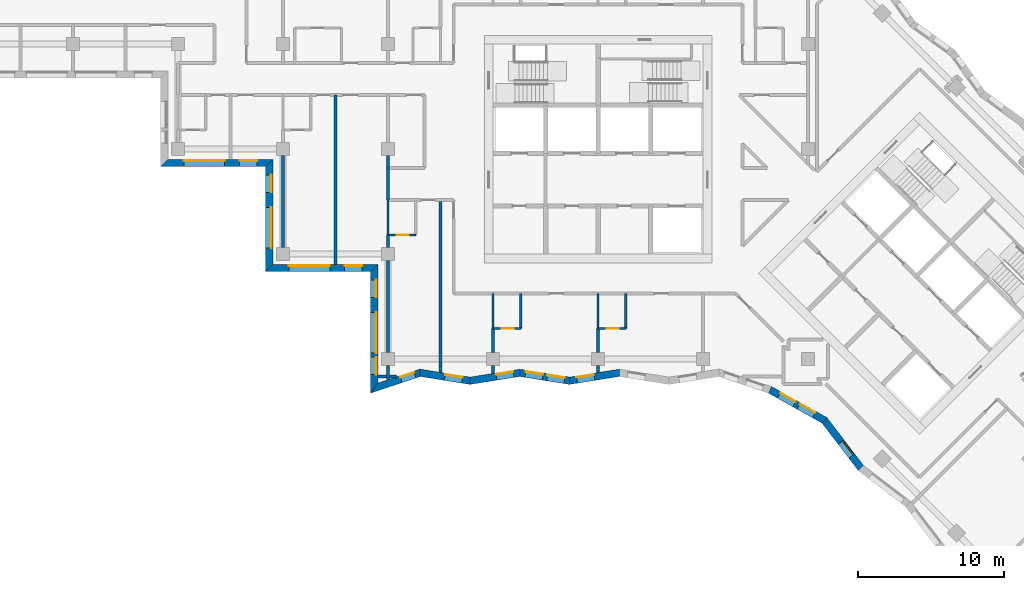
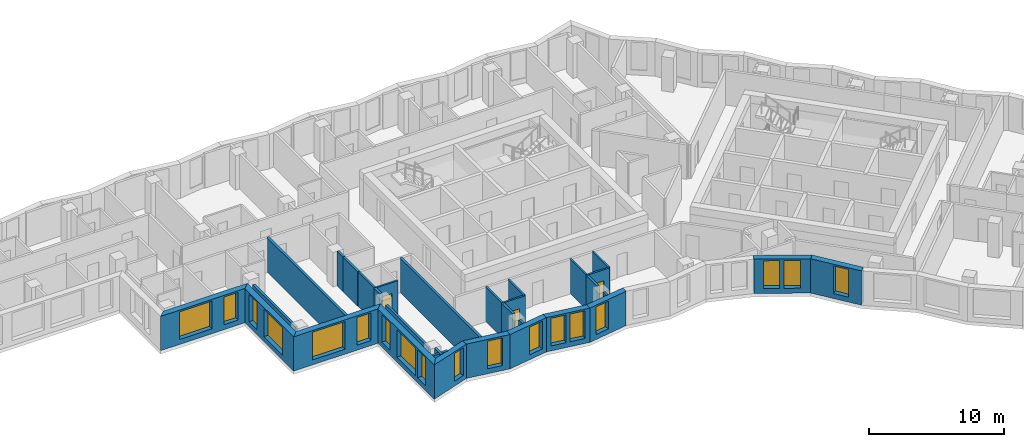
# One storey, part 2 of 12: 32 walls, 18 windows, 3 doors, 21 openings.
"""IFC4 building model written with IfcOpenShell, lengths in metres."""

from ifc_helpers import new_model, si_unit, direction, frame, frame_2d, origin, place, context, subcontext, project, spatial, polyline, rectangle, outline, extrude, material, layer, layer_set, type_object, element, fill, save


model = new_model("IFC4")

# Units and contexts
model_context = context("Model", 3, precision=1e-05, world=origin(), true_north=direction((0.0, 1.0)))
body_context = subcontext(model_context, "Body", "Model", "MODEL_VIEW")
ifc_project = project(units=[si_unit("LENGTHUNIT", "METRE"), si_unit("AREAUNIT", "SQUARE_METRE"), si_unit("VOLUMEUNIT", "CUBIC_METRE"), si_unit("PLANEANGLEUNIT", "RADIAN"), si_unit("MASSUNIT", "GRAM", prefix="KILO")], contexts=[model_context])

# Site, building, storey
site_placement = place(None, origin())
site = spatial("IfcSite", under=ifc_project, at=site_placement, CompositionType="ELEMENT")
building_placement = place(site_placement, origin())
building = spatial("IfcBuilding", under=site, at=building_placement, Name="Windrow Commons", CompositionType="ELEMENT")
storey_placement = place(building_placement, frame((0.0, 0.0, 162.6)))
storey = spatial("IfcBuildingStorey", under=building, at=storey_placement, Name="L44", CompositionType="ELEMENT", Elevation=162.6)

# Wall, openings, windows
ifc_material_1 = material(Name="Brick masonry, red clay brick", Category="masonry")
ifc_layer_1 = layer(ifc_material_1, 0.5)
ifc_layer_set_1 = layer_set([ifc_layer_1], Name="Brick facade wall 500")
wall_type_1 = type_object("IfcWallType", Name="Brick facade wall 500", PredefinedType="SOLIDWALL", material=ifc_layer_set_1)
wall_1_placement = place(storey_placement, frame((35.05, 56.65, 0.0), z_axis=(0.0, 0.0, 1.0), x_axis=(1.0, 0.0, 0.0)))
wall_1 = element("IfcWall", 1, at=wall_1_placement, inside=storey, type_object=wall_type_1, Name="Brick facade wall L44 38", PredefinedType="SOLIDWALL", context=body_context, shape_type="SweptSolid", body=[
    extrude(outline(polyline([(-0.25, -0.25), (6.95, -0.25), (7.45, 0.25), (0.25, 0.25), (-0.25, -0.25)])), origin(), (0.0, 0.0, 1.0), 3.1),
])
opening_1_placement = place(wall_1_placement, frame((1.35, 0.0, 0.45)))
opening_1 = element("IfcOpeningElement", 2, at=opening_1_placement, cuts=wall_1, Name="Opening W1U", PredefinedType="OPENING", context=body_context, shape_type="SweptSolid", body=[
    extrude(rectangle(XDim=2.8, YDim=2.5, at=frame_2d((1.4, 1.25))), frame((0.0, 0.26, 0.0), z_axis=(0.0, -1.0, 0.0), x_axis=(1.0, 0.0, 0.0)), (0.0, 0.0, 1.0), 0.52),
])
opening_2_placement = place(wall_1_placement, frame((5.175, 0.0, 0.45)))
opening_2 = element("IfcOpeningElement", 3, at=opening_2_placement, cuts=wall_1, Name="Opening W7E", PredefinedType="OPENING", context=body_context, shape_type="SweptSolid", body=[
    extrude(rectangle(XDim=1.2, YDim=2.5, at=frame_2d((0.6, 1.25))), frame((0.0, 0.26, 0.0), z_axis=(0.0, -1.0, 0.0), x_axis=(1.0, 0.0, 0.0)), (0.0, 0.0, 1.0), 0.52),
])
ifc_material_2 = material(Name="Clear float glass in anodised aluminium frame", Category="aluminium")
window_type_1 = type_object("IfcWindowType", Name="Window W1U bedroom 2800x2500", PartitioningType="SINGLE_PANEL", PredefinedType="WINDOW", material=ifc_material_2)
window_1_placement = place(opening_1_placement, origin())
window_1 = element("IfcWindow", 4, at=window_1_placement, inside=storey, type_object=window_type_1, Name="Window L44 38.1", OverallHeight=2.5, OverallWidth=2.8, PartitioningType="SINGLE_PANEL", PredefinedType="WINDOW", context=body_context, shape_type="SweptSolid", body=[
    extrude(rectangle(XDim=2.8, YDim=2.5, at=frame_2d((1.4, 1.25))), frame((0.0, 0.18, 0.0), z_axis=(0.0, -1.0, 0.0), x_axis=(1.0, 0.0, 0.0)), (0.0, 0.0, 1.0), 0.06),
])
fill(opening_1, window_1)
ifc_material_3 = material(Name="Clear float glass in anodised aluminium frame", Category="aluminium")
window_type_2 = type_object("IfcWindowType", Name="Window W7 notch 1200x2500", PartitioningType="SINGLE_PANEL", PredefinedType="WINDOW", material=ifc_material_3)
window_2_placement = place(opening_2_placement, origin())
window_2 = element("IfcWindow", 5, at=window_2_placement, inside=storey, type_object=window_type_2, Name="Window L44 38.2", OverallHeight=2.5, OverallWidth=1.2, PartitioningType="SINGLE_PANEL", PredefinedType="WINDOW", context=body_context, shape_type="SweptSolid", body=[
    extrude(rectangle(XDim=1.2, YDim=2.5, at=frame_2d((0.6, 1.25))), frame((0.0, 0.18, 0.0), z_axis=(0.0, -1.0, 0.0), x_axis=(1.0, 0.0, 0.0)), (0.0, 0.0, 1.0), 0.06),
])
fill(opening_2, window_2)

wall_2_placement = place(storey_placement, frame((42.25, 56.65, 0.0), z_axis=(0.0, 0.0, 1.0), x_axis=(0.0, -1.0, 0.0)))
wall_2 = element("IfcWall", 6, at=wall_2_placement, inside=storey, type_object=wall_type_1, Name="Brick facade wall L44 39", PredefinedType="SOLIDWALL", context=body_context, shape_type="SweptSolid", body=[
    extrude(outline(polyline([(0.25, -0.25), (7.45, -0.25), (6.95, 0.25), (-0.25, 0.25), (0.25, -0.25)])), origin(), (0.0, 0.0, 1.0), 3.1),
])
opening_3_placement = place(wall_2_placement, frame((3.05, 0.0, 0.45)))
opening_3 = element("IfcOpeningElement", 7, at=opening_3_placement, cuts=wall_2, Name="Opening W1U", PredefinedType="OPENING", context=body_context, shape_type="SweptSolid", body=[
    extrude(rectangle(XDim=2.8, YDim=2.5, at=frame_2d((1.4, 1.25))), frame((0.0, 0.26, 0.0), z_axis=(0.0, -1.0, 0.0), x_axis=(1.0, 0.0, 0.0)), (0.0, 0.0, 1.0), 0.52),
])
opening_4_placement = place(wall_2_placement, frame((0.825, 0.0, 0.45)))
opening_4 = element("IfcOpeningElement", 8, at=opening_4_placement, cuts=wall_2, Name="Opening W7E", PredefinedType="OPENING", context=body_context, shape_type="SweptSolid", body=[
    extrude(rectangle(XDim=1.2, YDim=2.5, at=frame_2d((0.6, 1.25))), frame((0.0, 0.26, 0.0), z_axis=(0.0, -1.0, 0.0), x_axis=(1.0, 0.0, 0.0)), (0.0, 0.0, 1.0), 0.52),
])
window_3_placement = place(opening_3_placement, origin())
window_3 = element("IfcWindow", 9, at=window_3_placement, inside=storey, type_object=window_type_1, Name="Window L44 39.1", OverallHeight=2.5, OverallWidth=2.8, PartitioningType="SINGLE_PANEL", PredefinedType="WINDOW", context=body_context, shape_type="SweptSolid", body=[
    extrude(rectangle(XDim=2.8, YDim=2.5, at=frame_2d((1.4, 1.25))), frame((0.0, 0.18, 0.0), z_axis=(0.0, -1.0, 0.0), x_axis=(1.0, 0.0, 0.0)), (0.0, 0.0, 1.0), 0.06),
])
fill(opening_3, window_3)
window_4_placement = place(opening_4_placement, origin())
window_4 = element("IfcWindow", 10, at=window_4_placement, inside=storey, type_object=window_type_2, Name="Window L44 39.2", OverallHeight=2.5, OverallWidth=1.2, PartitioningType="SINGLE_PANEL", PredefinedType="WINDOW", context=body_context, shape_type="SweptSolid", body=[
    extrude(rectangle(XDim=1.2, YDim=2.5, at=frame_2d((0.6, 1.25))), frame((0.0, 0.18, 0.0), z_axis=(0.0, -1.0, 0.0), x_axis=(1.0, 0.0, 0.0)), (0.0, 0.0, 1.0), 0.06),
])
fill(opening_4, window_4)

wall_3_placement = place(storey_placement, frame((42.25, 49.45, 0.0), z_axis=(0.0, 0.0, 1.0), x_axis=(1.0, 0.0, 0.0)))
wall_3 = element("IfcWall", 11, at=wall_3_placement, inside=storey, type_object=wall_type_1, Name="Brick facade wall L44 40", PredefinedType="SOLIDWALL", context=body_context, shape_type="SweptSolid", body=[
    extrude(outline(polyline([(-0.25, -0.25), (6.95, -0.25), (7.45, 0.25), (0.25, 0.25), (-0.25, -0.25)])), origin(), (0.0, 0.0, 1.0), 3.1),
])
opening_5_placement = place(wall_3_placement, frame((1.35, 0.0, 0.45)))
opening_5 = element("IfcOpeningElement", 12, at=opening_5_placement, cuts=wall_3, Name="Opening W1U", PredefinedType="OPENING", context=body_context, shape_type="SweptSolid", body=[
    extrude(rectangle(XDim=2.8, YDim=2.5, at=frame_2d((1.4, 1.25))), frame((0.0, 0.26, 0.0), z_axis=(0.0, -1.0, 0.0), x_axis=(1.0, 0.0, 0.0)), (0.0, 0.0, 1.0), 0.52),
])
opening_6_placement = place(wall_3_placement, frame((5.175, 0.0, 0.45)))
opening_6 = element("IfcOpeningElement", 13, at=opening_6_placement, cuts=wall_3, Name="Opening W7E", PredefinedType="OPENING", context=body_context, shape_type="SweptSolid", body=[
    extrude(rectangle(XDim=1.2, YDim=2.5, at=frame_2d((0.6, 1.25))), frame((0.0, 0.26, 0.0), z_axis=(0.0, -1.0, 0.0), x_axis=(1.0, 0.0, 0.0)), (0.0, 0.0, 1.0), 0.52),
])
window_5_placement = place(opening_5_placement, origin())
window_5 = element("IfcWindow", 14, at=window_5_placement, inside=storey, type_object=window_type_1, Name="Window L44 40.1", OverallHeight=2.5, OverallWidth=2.8, PartitioningType="SINGLE_PANEL", PredefinedType="WINDOW", context=body_context, shape_type="SweptSolid", body=[
    extrude(rectangle(XDim=2.8, YDim=2.5, at=frame_2d((1.4, 1.25))), frame((0.0, 0.18, 0.0), z_axis=(0.0, -1.0, 0.0), x_axis=(1.0, 0.0, 0.0)), (0.0, 0.0, 1.0), 0.06),
])
fill(opening_5, window_5)
window_6_placement = place(opening_6_placement, origin())
window_6 = element("IfcWindow", 15, at=window_6_placement, inside=storey, type_object=window_type_2, Name="Window L44 40.2", OverallHeight=2.5, OverallWidth=1.2, PartitioningType="SINGLE_PANEL", PredefinedType="WINDOW", context=body_context, shape_type="SweptSolid", body=[
    extrude(rectangle(XDim=1.2, YDim=2.5, at=frame_2d((0.6, 1.25))), frame((0.0, 0.18, 0.0), z_axis=(0.0, -1.0, 0.0), x_axis=(1.0, 0.0, 0.0)), (0.0, 0.0, 1.0), 0.06),
])
fill(opening_6, window_6)

wall_4_placement = place(storey_placement, frame((49.45, 49.45, 0.0), z_axis=(0.0, 0.0, 1.0), x_axis=(0.0, -1.0, 0.0)))
wall_4 = element("IfcWall", 16, at=wall_4_placement, inside=storey, type_object=wall_type_1, Name="Brick facade wall L44 41", PredefinedType="SOLIDWALL", context=body_context, shape_type="SweptSolid", body=[
    extrude(outline(polyline([(0.25, -0.25), (8.592, -0.25), (7.8973, 0.25), (-0.25, 0.25), (0.25, -0.25)])), origin(), (0.0, 0.0, 1.0), 3.1),
])
opening_7_placement = place(wall_4_placement, frame((3.05, 0.0, 0.45)))
opening_7 = element("IfcOpeningElement", 17, at=opening_7_placement, cuts=wall_4, Name="Opening W1U", PredefinedType="OPENING", context=body_context, shape_type="SweptSolid", body=[
    extrude(rectangle(XDim=2.8, YDim=2.5, at=frame_2d((1.4, 1.25))), frame((0.0, 0.26, 0.0), z_axis=(0.0, -1.0, 0.0), x_axis=(1.0, 0.0, 0.0)), (0.0, 0.0, 1.0), 0.52),
])
opening_8_placement = place(wall_4_placement, frame((0.825, 0.0, 0.45)))
opening_8 = element("IfcOpeningElement", 18, at=opening_8_placement, cuts=wall_4, Name="Opening W7E", PredefinedType="OPENING", context=body_context, shape_type="SweptSolid", body=[
    extrude(rectangle(XDim=1.2, YDim=2.5, at=frame_2d((0.6, 1.25))), frame((0.0, 0.26, 0.0), z_axis=(0.0, -1.0, 0.0), x_axis=(1.0, 0.0, 0.0)), (0.0, 0.0, 1.0), 0.52),
])
opening_9_placement = place(wall_4_placement, frame((6.1236, 0.0, 0.45)))
opening_9 = element("IfcOpeningElement", 19, at=opening_9_placement, cuts=wall_4, Name="Opening W7E", PredefinedType="OPENING", context=body_context, shape_type="SweptSolid", body=[
    extrude(rectangle(XDim=1.2, YDim=2.5, at=frame_2d((0.6, 1.25))), frame((0.0, 0.26, 0.0), z_axis=(0.0, -1.0, 0.0), x_axis=(1.0, 0.0, 0.0)), (0.0, 0.0, 1.0), 0.52),
])
window_7_placement = place(opening_7_placement, origin())
window_7 = element("IfcWindow", 20, at=window_7_placement, inside=storey, type_object=window_type_1, Name="Window L44 41.1", OverallHeight=2.5, OverallWidth=2.8, PartitioningType="SINGLE_PANEL", PredefinedType="WINDOW", context=body_context, shape_type="SweptSolid", body=[
    extrude(rectangle(XDim=2.8, YDim=2.5, at=frame_2d((1.4, 1.25))), frame((0.0, 0.18, 0.0), z_axis=(0.0, -1.0, 0.0), x_axis=(1.0, 0.0, 0.0)), (0.0, 0.0, 1.0), 0.06),
])
fill(opening_7, window_7)
window_8_placement = place(opening_8_placement, origin())
window_8 = element("IfcWindow", 21, at=window_8_placement, inside=storey, type_object=window_type_2, Name="Window L44 41.2", OverallHeight=2.5, OverallWidth=1.2, PartitioningType="SINGLE_PANEL", PredefinedType="WINDOW", context=body_context, shape_type="SweptSolid", body=[
    extrude(rectangle(XDim=1.2, YDim=2.5, at=frame_2d((0.6, 1.25))), frame((0.0, 0.18, 0.0), z_axis=(0.0, -1.0, 0.0), x_axis=(1.0, 0.0, 0.0)), (0.0, 0.0, 1.0), 0.06),
])
fill(opening_8, window_8)
window_9_placement = place(opening_9_placement, origin())
window_9 = element("IfcWindow", 22, at=window_9_placement, inside=storey, type_object=window_type_2, Name="Window L44 41.3", OverallHeight=2.5, OverallWidth=1.2, PartitioningType="SINGLE_PANEL", PredefinedType="WINDOW", context=body_context, shape_type="SweptSolid", body=[
    extrude(rectangle(XDim=1.2, YDim=2.5, at=frame_2d((0.6, 1.25))), frame((0.0, 0.18, 0.0), z_axis=(0.0, -1.0, 0.0), x_axis=(1.0, 0.0, 0.0)), (0.0, 0.0, 1.0), 0.06),
])
fill(opening_9, window_9)

# Wall, opening, window
wall_5_placement = place(storey_placement, frame((49.45, 41.2054, 0.0), z_axis=(0.0, 0.0, 1.0), x_axis=(0.9482534743, 0.3175143279, 0.0)))
wall_5 = element("IfcWall", 23, at=wall_5_placement, inside=storey, type_object=wall_type_1, Name="Brick facade wall L44 42", PredefinedType="SOLIDWALL", context=body_context, shape_type="SweptSolid", body=[
    extrude(outline(polyline([(-0.3474, -0.25), (3.2491, -0.25), (3.3717, 0.25), (0.3474, 0.25), (-0.3474, -0.25)])), origin(), (0.0, 0.0, 1.0), 3.1),
])
opening_10_placement = place(wall_5_placement, frame((1.9347, 0.0, 0.45)))
opening_10 = element("IfcOpeningElement", 24, at=opening_10_placement, cuts=wall_5, Name="Opening W1S", PredefinedType="OPENING", context=body_context, shape_type="SweptSolid", body=[
    extrude(rectangle(XDim=1.0, YDim=2.5, at=frame_2d((0.5, 1.25))), frame((0.0, 0.26, 0.0), z_axis=(0.0, -1.0, 0.0), x_axis=(1.0, 0.0, 0.0)), (0.0, 0.0, 1.0), 0.52),
])
ifc_material_4 = material(Name="Clear float glass in anodised aluminium frame", Category="aluminium")
window_type_3 = type_object("IfcWindowType", Name="Window W1S slit 1000x2500", PartitioningType="SINGLE_PANEL", PredefinedType="WINDOW", material=ifc_material_4)
window_10_placement = place(opening_10_placement, origin())
window_10 = element("IfcWindow", 25, at=window_10_placement, inside=storey, type_object=window_type_3, Name="Window L44 42.1A", OverallHeight=2.5, OverallWidth=1.0, PartitioningType="SINGLE_PANEL", PredefinedType="WINDOW", context=body_context, shape_type="SweptSolid", body=[
    extrude(rectangle(XDim=1.0, YDim=2.5, at=frame_2d((0.5, 1.25))), frame((0.0, 0.18, 0.0), z_axis=(0.0, -1.0, 0.0), x_axis=(1.0, 0.0, 0.0)), (0.0, 0.0, 1.0), 0.06),
])
fill(opening_10, window_10)

wall_6_placement = place(storey_placement, frame((52.5891, 42.2565, 0.0), z_axis=(0.0, 0.0, 1.0), x_axis=(0.9876042465, -0.1569644935, 0.0)))
wall_6 = element("IfcWall", 26, at=wall_6_placement, inside=storey, type_object=wall_type_1, Name="Brick facade wall L44 43", PredefinedType="SOLIDWALL", context=body_context, shape_type="SweptSolid", body=[
    extrude(outline(polyline([(0.0613, -0.25), (3.5144, -0.25), (3.435, 0.25), (-0.0613, 0.25), (0.0613, -0.25)])), origin(), (0.0, 0.0, 1.0), 3.1),
])
opening_11_placement = place(wall_6_placement, frame((1.7318, 0.0, 0.45)))
opening_11 = element("IfcOpeningElement", 27, at=opening_11_placement, cuts=wall_6, Name="Opening W7E", PredefinedType="OPENING", context=body_context, shape_type="SweptSolid", body=[
    extrude(rectangle(XDim=1.2, YDim=2.5, at=frame_2d((0.6, 1.25))), frame((0.0, 0.26, 0.0), z_axis=(0.0, -1.0, 0.0), x_axis=(1.0, 0.0, 0.0)), (0.0, 0.0, 1.0), 0.52),
])
window_11_placement = place(opening_11_placement, origin())
window_11 = element("IfcWindow", 28, at=window_11_placement, inside=storey, type_object=window_type_2, Name="Window L44 43.1", OverallHeight=2.5, OverallWidth=1.2, PartitioningType="SINGLE_PANEL", PredefinedType="WINDOW", context=body_context, shape_type="SweptSolid", body=[
    extrude(rectangle(XDim=1.2, YDim=2.5, at=frame_2d((0.6, 1.25))), frame((0.0, 0.18, 0.0), z_axis=(0.0, -1.0, 0.0), x_axis=(1.0, 0.0, 0.0)), (0.0, 0.0, 1.0), 0.06),
])
fill(opening_11, window_11)

wall_7_placement = place(storey_placement, frame((56.0207, 41.7111, 0.0), z_axis=(0.0, 0.0, 1.0), x_axis=(0.9876056196, 0.1569558544, 0.0)))
wall_7 = element("IfcWall", 29, at=wall_7_placement, inside=storey, type_object=wall_type_1, Name="Brick facade wall L44 44", PredefinedType="SOLIDWALL", context=body_context, shape_type="SweptSolid", body=[
    extrude(outline(polyline([(-0.0397, -0.25), (3.4134, -0.25), (3.4929, 0.25), (0.0397, 0.25), (-0.0397, -0.25)])), origin(), (0.0, 0.0, 1.0), 3.1),
])
opening_12_placement = place(wall_7_placement, frame((1.8261, 0.0, 0.45)))
opening_12 = element("IfcOpeningElement", 30, at=opening_12_placement, cuts=wall_7, Name="Opening W7E", PredefinedType="OPENING", context=body_context, shape_type="SweptSolid", body=[
    extrude(rectangle(XDim=1.2, YDim=2.5, at=frame_2d((0.6, 1.25))), frame((0.0, 0.26, 0.0), z_axis=(0.0, -1.0, 0.0), x_axis=(1.0, 0.0, 0.0)), (0.0, 0.0, 1.0), 0.52),
])
window_12_placement = place(opening_12_placement, origin())
window_12 = element("IfcWindow", 31, at=window_12_placement, inside=storey, type_object=window_type_2, Name="Window L44 44.1", OverallHeight=2.5, OverallWidth=1.2, PartitioningType="SINGLE_PANEL", PredefinedType="WINDOW", context=body_context, shape_type="SweptSolid", body=[
    extrude(rectangle(XDim=1.2, YDim=2.5, at=frame_2d((0.6, 1.25))), frame((0.0, 0.18, 0.0), z_axis=(0.0, -1.0, 0.0), x_axis=(1.0, 0.0, 0.0)), (0.0, 0.0, 1.0), 0.06),
])
fill(opening_12, window_12)

# Wall, openings, windows
wall_8_placement = place(storey_placement, frame((59.4311, 42.2531, 0.0), z_axis=(0.0, 0.0, 1.0), x_axis=(0.9876049061, -0.1569603434, 0.0)))
wall_8 = element("IfcWall", 32, at=wall_8_placement, inside=storey, type_object=wall_type_1, Name="Brick facade wall L44 45", PredefinedType="SOLIDWALL", context=body_context, shape_type="SweptSolid", body=[
    extrude(outline(polyline([(0.0397, -0.25), (3.4929, -0.25), (3.4134, 0.25), (-0.0397, 0.25), (0.0397, -0.25)])), origin(), (0.0, 0.0, 1.0), 3.1),
])
opening_13_placement = place(wall_8_placement, frame((0.3956, 0.0, 0.45)))
opening_13 = element("IfcOpeningElement", 33, at=opening_13_placement, cuts=wall_8, Name="Opening W7E", PredefinedType="OPENING", context=body_context, shape_type="SweptSolid", body=[
    extrude(rectangle(XDim=1.2, YDim=2.5, at=frame_2d((0.6, 1.25))), frame((0.0, 0.26, 0.0), z_axis=(0.0, -1.0, 0.0), x_axis=(1.0, 0.0, 0.0)), (0.0, 0.0, 1.0), 0.52),
])
opening_14_placement = place(wall_8_placement, frame((1.9023, 0.0, 0.45)))
opening_14 = element("IfcOpeningElement", 34, at=opening_14_placement, cuts=wall_8, Name="Opening W7E", PredefinedType="OPENING", context=body_context, shape_type="SweptSolid", body=[
    extrude(rectangle(XDim=1.2, YDim=2.5, at=frame_2d((0.6, 1.25))), frame((0.0, 0.26, 0.0), z_axis=(0.0, -1.0, 0.0), x_axis=(1.0, 0.0, 0.0)), (0.0, 0.0, 1.0), 0.52),
])
window_13_placement = place(opening_13_placement, origin())
window_13 = element("IfcWindow", 35, at=window_13_placement, inside=storey, type_object=window_type_2, Name="Window L44 45.1", OverallHeight=2.5, OverallWidth=1.2, PartitioningType="SINGLE_PANEL", PredefinedType="WINDOW", context=body_context, shape_type="SweptSolid", body=[
    extrude(rectangle(XDim=1.2, YDim=2.5, at=frame_2d((0.6, 1.25))), frame((0.0, 0.18, 0.0), z_axis=(0.0, -1.0, 0.0), x_axis=(1.0, 0.0, 0.0)), (0.0, 0.0, 1.0), 0.06),
])
fill(opening_13, window_13)
window_14_placement = place(opening_14_placement, origin())
window_14 = element("IfcWindow", 36, at=window_14_placement, inside=storey, type_object=window_type_2, Name="Window L44 45.2", OverallHeight=2.5, OverallWidth=1.2, PartitioningType="SINGLE_PANEL", PredefinedType="WINDOW", context=body_context, shape_type="SweptSolid", body=[
    extrude(rectangle(XDim=1.2, YDim=2.5, at=frame_2d((0.6, 1.25))), frame((0.0, 0.18, 0.0), z_axis=(0.0, -1.0, 0.0), x_axis=(1.0, 0.0, 0.0)), (0.0, 0.0, 1.0), 0.06),
])
fill(opening_14, window_14)

# Wall, opening, window
wall_9_placement = place(storey_placement, frame((62.8414, 41.7111, 0.0), z_axis=(0.0, 0.0, 1.0), x_axis=(0.9876056196, 0.1569558544, 0.0)))
wall_9 = element("IfcWall", 37, at=wall_9_placement, inside=storey, type_object=wall_type_1, Name="Brick facade wall L44 46", PredefinedType="SOLIDWALL", context=body_context, shape_type="SweptSolid", body=[
    extrude(outline(polyline([(-0.0397, -0.25), (3.4134, -0.25), (3.4929, 0.25), (0.0397, 0.25), (-0.0397, -0.25)])), origin(), (0.0, 0.0, 1.0), 3.1),
])
opening_15_placement = place(wall_9_placement, frame((0.5114, 0.0, 0.45)))
opening_15 = element("IfcOpeningElement", 38, at=opening_15_placement, cuts=wall_9, Name="Opening W7E", PredefinedType="OPENING", context=body_context, shape_type="SweptSolid", body=[
    extrude(rectangle(XDim=1.2, YDim=2.5, at=frame_2d((0.6, 1.25))), frame((0.0, 0.26, 0.0), z_axis=(0.0, -1.0, 0.0), x_axis=(1.0, 0.0, 0.0)), (0.0, 0.0, 1.0), 0.52),
])
window_15_placement = place(opening_15_placement, origin())
window_15 = element("IfcWindow", 39, at=window_15_placement, inside=storey, type_object=window_type_2, Name="Window L44 46.1", OverallHeight=2.5, OverallWidth=1.2, PartitioningType="SINGLE_PANEL", PredefinedType="WINDOW", context=body_context, shape_type="SweptSolid", body=[
    extrude(rectangle(XDim=1.2, YDim=2.5, at=frame_2d((0.6, 1.25))), frame((0.0, 0.18, 0.0), z_axis=(0.0, -1.0, 0.0), x_axis=(1.0, 0.0, 0.0)), (0.0, 0.0, 1.0), 0.06),
])
fill(opening_15, window_15)

# Wall, openings, windows
wall_10_placement = place(storey_placement, frame((76.5845, 41.0876, 0.0), z_axis=(0.0, 0.0, 1.0), x_axis=(0.8724681922, -0.4886709053, 0.0)))
wall_10 = element("IfcWall", 40, at=wall_10_placement, inside=storey, type_object=wall_type_1, Name="Brick facade wall L44 50", PredefinedType="SOLIDWALL", context=body_context, shape_type="SweptSolid", body=[
    extrude(outline(polyline([(0.0235, -0.25), (4.2315, -0.25), (4.3349, 0.25), (-0.0235, 0.25), (0.0235, -0.25)])), origin(), (0.0, 0.0, 1.0), 3.1),
])
opening_16_placement = place(wall_10_placement, frame((0.7265, 0.0, 0.45)))
opening_16 = element("IfcOpeningElement", 41, at=opening_16_placement, cuts=wall_10, Name="Opening W7E", PredefinedType="OPENING", context=body_context, shape_type="SweptSolid", body=[
    extrude(rectangle(XDim=1.2, YDim=2.5, at=frame_2d((0.6, 1.25))), frame((0.0, 0.26, 0.0), z_axis=(0.0, -1.0, 0.0), x_axis=(1.0, 0.0, 0.0)), (0.0, 0.0, 1.0), 0.52),
])
opening_17_placement = place(wall_10_placement, frame((2.2682, 0.0, 0.45)))
opening_17 = element("IfcOpeningElement", 42, at=opening_17_placement, cuts=wall_10, Name="Opening W7E", PredefinedType="OPENING", context=body_context, shape_type="SweptSolid", body=[
    extrude(rectangle(XDim=1.2, YDim=2.5, at=frame_2d((0.6, 1.25))), frame((0.0, 0.26, 0.0), z_axis=(0.0, -1.0, 0.0), x_axis=(1.0, 0.0, 0.0)), (0.0, 0.0, 1.0), 0.52),
])
window_16_placement = place(opening_16_placement, origin())
window_16 = element("IfcWindow", 43, at=window_16_placement, inside=storey, type_object=window_type_2, Name="Window L44 50.1", OverallHeight=2.5, OverallWidth=1.2, PartitioningType="SINGLE_PANEL", PredefinedType="WINDOW", context=body_context, shape_type="SweptSolid", body=[
    extrude(rectangle(XDim=1.2, YDim=2.5, at=frame_2d((0.6, 1.25))), frame((0.0, 0.18, 0.0), z_axis=(0.0, -1.0, 0.0), x_axis=(1.0, 0.0, 0.0)), (0.0, 0.0, 1.0), 0.06),
])
fill(opening_16, window_16)
window_17_placement = place(opening_17_placement, origin())
window_17 = element("IfcWindow", 44, at=window_17_placement, inside=storey, type_object=window_type_2, Name="Window L44 50.2", OverallHeight=2.5, OverallWidth=1.2, PartitioningType="SINGLE_PANEL", PredefinedType="WINDOW", context=body_context, shape_type="SweptSolid", body=[
    extrude(rectangle(XDim=1.2, YDim=2.5, at=frame_2d((0.6, 1.25))), frame((0.0, 0.18, 0.0), z_axis=(0.0, -1.0, 0.0), x_axis=(1.0, 0.0, 0.0)), (0.0, 0.0, 1.0), 0.06),
])
fill(opening_17, window_17)

# Wall, opening, window
wall_11_placement = place(storey_placement, frame((80.3215, 38.9945, 0.0), z_axis=(0.0, 0.0, 1.0), x_axis=(0.6070711239, -0.7946475008, 0.0)))
wall_11 = element("IfcWall", 45, at=wall_11_placement, inside=storey, type_object=wall_type_1, Name="Brick facade wall L44 51", PredefinedType="SOLIDWALL", context=body_context, shape_type="SweptSolid", body=[
    extrude(outline(polyline([(0.0517, -0.25), (4.1379, -0.25), (4.071, 0.25), (-0.0517, 0.25), (0.0517, -0.25)])), origin(), (0.0, 0.0, 1.0), 3.1),
])
opening_18_placement = place(wall_11_placement, frame((1.8745, 0.0, 0.45)))
opening_18 = element("IfcOpeningElement", 46, at=opening_18_placement, cuts=wall_11, Name="Opening W7E", PredefinedType="OPENING", context=body_context, shape_type="SweptSolid", body=[
    extrude(rectangle(XDim=1.2, YDim=2.5, at=frame_2d((0.6, 1.25))), frame((0.0, 0.26, 0.0), z_axis=(0.0, -1.0, 0.0), x_axis=(1.0, 0.0, 0.0)), (0.0, 0.0, 1.0), 0.52),
])
window_18_placement = place(opening_18_placement, origin())
window_18 = element("IfcWindow", 47, at=window_18_placement, inside=storey, type_object=window_type_2, Name="Window L44 51.1", OverallHeight=2.5, OverallWidth=1.2, PartitioningType="SINGLE_PANEL", PredefinedType="WINDOW", context=body_context, shape_type="SweptSolid", body=[
    extrude(rectangle(XDim=1.2, YDim=2.5, at=frame_2d((0.6, 1.25))), frame((0.0, 0.18, 0.0), z_axis=(0.0, -1.0, 0.0), x_axis=(1.0, 0.0, 0.0)), (0.0, 0.0, 1.0), 0.06),
])
fill(opening_18, window_18)

# Walls
ifc_material_5 = material(Name="Blockwork partition", Category="masonry")
ifc_layer_2 = layer(ifc_material_5, 0.2)
ifc_layer_set_2 = layer_set([ifc_layer_2], Name="IW-CORRIDOR-200")
wall_type_2 = type_object("IfcWallType", Name="IW-CORRIDOR-200", PredefinedType="PARTITIONING", material=ifc_layer_set_2)
wall_12_placement = place(storey_placement, frame((50.4, 54.1, 0.0), z_axis=(0.0, 0.0, 1.0), x_axis=(0.0, 1.0, 0.0)))
element("IfcWall", 48, at=wall_12_placement, inside=storey, type_object=wall_type_2, Name="W-L44-W110", PredefinedType="PARTITIONING", context=body_context, shape_type="SweptSolid", body=[
    extrude(rectangle(XDim=2.2, YDim=0.2, at=frame_2d((1.1, 0.0))), origin(), (0.0, 0.0, 1.0), 3.1),
])
ifc_material_6 = material(Name="Blockwork partition", Category="masonry")
ifc_layer_3 = layer(ifc_material_6, 0.15)
ifc_layer_set_3 = layer_set([ifc_layer_3], Name="IW-ENSUITE-150")
wall_type_3 = type_object("IfcWallType", Name="IW-ENSUITE-150", PredefinedType="PARTITIONING", material=ifc_layer_set_3)
for number, where, z_axis, x_axis, name in (
    (49, (59.5, 45.3, 0.0), (0.0, 0.0, 1.0), (0.0, 1.0, 0.0), "W-L44-W082"),
    (50, (57.6, 45.3, 0.0), (0.0, 0.0, 1.0), (0.0, 1.0, 0.0), "W-L44-W084"),
    (51, (66.7, 45.3, 0.0), (0.0, 0.0, 1.0), (0.0, 1.0, 0.0), "W-L44-W086"),
    (52, (64.8, 45.3, 0.0), (0.0, 0.0, 1.0), (0.0, 1.0, 0.0), "W-L44-W088"),
    (53, (50.4, 51.7, 0.0), (0.0, 0.0, 1.0), (0.0, 1.0, 0.0), "W-L44-W097"),
):
    element("IfcWall", number, at=place(storey_placement, frame(where, z_axis=z_axis, x_axis=x_axis)), inside=storey, type_object=wall_type_3, Name=name, PredefinedType="PARTITIONING", context=body_context, shape_type="SweptSolid", body=[
        extrude(rectangle(XDim=2.4, YDim=0.15, at=frame_2d((1.2, 0.0))), origin(), (0.0, 0.0, 1.0), 3.1),
    ])

# Wall, opening, door
wall_13_placement = place(storey_placement, frame((64.8, 45.3, 0.0), z_axis=(0.0, 0.0, 1.0), x_axis=(1.0, 0.0, 0.0)))
wall_13 = element("IfcWall", 54, at=wall_13_placement, inside=storey, type_object=wall_type_3, Name="W-L44-W115", PredefinedType="PARTITIONING", context=body_context, shape_type="SweptSolid", body=[
    extrude(rectangle(XDim=1.9, YDim=0.15, at=frame_2d((0.95, 0.0))), origin(), (0.0, 0.0, 1.0), 3.1),
])
opening_19_placement = place(wall_13_placement, frame((0.6069, 0.0, 0.0)))
opening_19 = element("IfcOpeningElement", 55, at=opening_19_placement, cuts=wall_13, Name="Opening D208N", PredefinedType="OPENING", context=body_context, shape_type="SweptSolid", body=[
    extrude(rectangle(XDim=0.8, YDim=2.1, at=frame_2d((0.4, 1.05))), frame((0.0, 0.085, 0.0), z_axis=(0.0, -1.0, 0.0), x_axis=(1.0, 0.0, 0.0)), (0.0, 0.0, 1.0), 0.17),
])
ifc_material_7 = material(Name="Timber door leaf", Category="wood")
door_type = type_object("IfcDoorType", Name="DT-ENSUITE-800", OperationType="SINGLE_SWING_LEFT", PredefinedType="DOOR", material=ifc_material_7)
door_1_placement = place(opening_19_placement, origin())
door_1 = element("IfcDoor", 56, at=door_1_placement, inside=storey, type_object=door_type, Name="D-L44-D034", OperationType="SINGLE_SWING_RIGHT", OverallHeight=2.1, OverallWidth=0.8, PredefinedType="DOOR", context=body_context, shape_type="SweptSolid", body=[
    extrude(rectangle(XDim=0.8, YDim=2.1, at=frame_2d((0.4, 1.05))), frame((0.0, 0.025, 0.0), z_axis=(0.0, -1.0, 0.0), x_axis=(1.0, 0.0, 0.0)), (0.0, 0.0, 1.0), 0.05),
])
fill(opening_19, door_1)

wall_14_placement = place(storey_placement, frame((50.4, 51.7, 0.0), z_axis=(0.0, 0.0, 1.0), x_axis=(1.0, 0.0, 0.0)))
wall_14 = element("IfcWall", 57, at=wall_14_placement, inside=storey, type_object=wall_type_3, Name="W-L44-W123", PredefinedType="PARTITIONING", context=body_context, shape_type="SweptSolid", body=[
    extrude(rectangle(XDim=1.9, YDim=0.15, at=frame_2d((0.95, 0.0))), origin(), (0.0, 0.0, 1.0), 3.1),
])
opening_20_placement = place(wall_14_placement, frame((0.6069, 0.0, 0.0)))
opening_20 = element("IfcOpeningElement", 58, at=opening_20_placement, cuts=wall_14, Name="Opening D208N", PredefinedType="OPENING", context=body_context, shape_type="SweptSolid", body=[
    extrude(rectangle(XDim=0.8, YDim=2.1, at=frame_2d((0.4, 1.05))), frame((0.0, 0.085, 0.0), z_axis=(0.0, -1.0, 0.0), x_axis=(1.0, 0.0, 0.0)), (0.0, 0.0, 1.0), 0.17),
])
door_2_placement = place(opening_20_placement, origin())
door_2 = element("IfcDoor", 59, at=door_2_placement, inside=storey, type_object=door_type, Name="D-L44-D027", OperationType="SINGLE_SWING_RIGHT", OverallHeight=2.1, OverallWidth=0.8, PredefinedType="DOOR", context=body_context, shape_type="SweptSolid", body=[
    extrude(rectangle(XDim=0.8, YDim=2.1, at=frame_2d((0.4, 1.05))), frame((0.0, 0.025, 0.0), z_axis=(0.0, -1.0, 0.0), x_axis=(1.0, 0.0, 0.0)), (0.0, 0.0, 1.0), 0.05),
])
fill(opening_20, door_2)

wall_15_placement = place(storey_placement, frame((57.6, 45.3, 0.0), z_axis=(0.0, 0.0, 1.0), x_axis=(1.0, 0.0, 0.0)))
wall_15 = element("IfcWall", 60, at=wall_15_placement, inside=storey, type_object=wall_type_3, Name="W-L44-W124", PredefinedType="PARTITIONING", context=body_context, shape_type="SweptSolid", body=[
    extrude(rectangle(XDim=1.9, YDim=0.15, at=frame_2d((0.95, 0.0))), origin(), (0.0, 0.0, 1.0), 3.1),
])
opening_21_placement = place(wall_15_placement, frame((0.6069, 0.0, 0.0)))
opening_21 = element("IfcOpeningElement", 61, at=opening_21_placement, cuts=wall_15, Name="Opening D208N", PredefinedType="OPENING", context=body_context, shape_type="SweptSolid", body=[
    extrude(rectangle(XDim=0.8, YDim=2.1, at=frame_2d((0.4, 1.05))), frame((0.0, 0.085, 0.0), z_axis=(0.0, -1.0, 0.0), x_axis=(1.0, 0.0, 0.0)), (0.0, 0.0, 1.0), 0.17),
])
door_3_placement = place(opening_21_placement, origin())
door_3 = element("IfcDoor", 62, at=door_3_placement, inside=storey, type_object=door_type, Name="D-L44-D032", OperationType="SINGLE_SWING_RIGHT", OverallHeight=2.1, OverallWidth=0.8, PredefinedType="DOOR", context=body_context, shape_type="SweptSolid", body=[
    extrude(rectangle(XDim=0.8, YDim=2.1, at=frame_2d((0.4, 1.05))), frame((0.0, 0.025, 0.0), z_axis=(0.0, -1.0, 0.0), x_axis=(1.0, 0.0, 0.0)), (0.0, 0.0, 1.0), 0.05),
])
fill(opening_21, door_3)

# Walls
ifc_material_8 = material(Name="Blockwork partition", Category="masonry")
ifc_layer_4 = layer(ifc_material_8, 0.2)
ifc_layer_set_4 = layer_set([ifc_layer_4], Name="IW-PARTY-200")
wall_type_4 = type_object("IfcWallType", Name="IW-PARTY-200", PredefinedType="PARTITIONING", material=ifc_layer_set_4)
wall_16_placement = place(storey_placement, frame((54.0, 42.2854, 0.0), z_axis=(0.0, 0.0, 1.0), x_axis=(0.0, 1.0, 0.0)))
element("IfcWall", 63, at=wall_16_placement, inside=storey, type_object=wall_type_4, Name="W-L44-W008", PredefinedType="PARTITIONING", context=body_context, shape_type="SweptSolid", body=[
    extrude(rectangle(XDim=11.8146, YDim=0.2, at=frame_2d((5.9073, 0.0))), origin(), (0.0, 0.0, 1.0), 3.1),
])
wall_17_placement = place(storey_placement, frame((46.8, 49.7, 0.0), z_axis=(0.0, 0.0, 1.0), x_axis=(0.0, 1.0, 0.0)))
element("IfcWall", 64, at=wall_17_placement, inside=storey, type_object=wall_type_4, Name="W-L44-W010", PredefinedType="PARTITIONING", context=body_context, shape_type="SweptSolid", body=[
    extrude(rectangle(XDim=11.6, YDim=0.2, at=frame_2d((5.8, 0.0))), origin(), (0.0, 0.0, 1.0), 3.1),
])
for number, where, z_axis, x_axis, name in (
    (65, (50.4, 43.65, 0.0), (0.0, 0.0, 1.0), (0.0, 1.0, 0.0), "W-L44-W022"),
    (66, (43.2, 50.85, 0.0), (0.0, 0.0, 1.0), (0.0, 1.0, 0.0), "W-L44-W023"),
):
    element("IfcWall", number, at=place(storey_placement, frame(where, z_axis=z_axis, x_axis=x_axis)), inside=storey, type_object=wall_type_4, Name=name, PredefinedType="PARTITIONING", context=body_context, shape_type="SweptSolid", body=[
        extrude(rectangle(XDim=6.3, YDim=0.2, at=frame_2d((3.15, 0.0))), origin(), (0.0, 0.0, 1.0), 2.6),
    ])
for number, where, z_axis, x_axis, name in (
    (67, (57.6, 43.65, 0.0), (0.0, 0.0, 1.0), (0.0, 1.0, 0.0), "W-L44-W132"),
    (68, (64.8, 43.65, 0.0), (0.0, 0.0, 1.0), (0.0, 1.0, 0.0), "W-L44-W133"),
):
    element("IfcWall", number, at=place(storey_placement, frame(where, z_axis=z_axis, x_axis=x_axis)), inside=storey, type_object=wall_type_4, Name=name, PredefinedType="PARTITIONING", context=body_context, shape_type="SweptSolid", body=[
        extrude(rectangle(XDim=1.65, YDim=0.2, at=frame_2d((0.825, 0.0))), origin(), (0.0, 0.0, 1.0), 3.1),
    ])
wall_18_placement = place(storey_placement, frame((49.7, 42.0, 0.0), z_axis=(0.0, 0.0, 1.0), x_axis=(1.0, 0.0, 0.0)))
element("IfcWall", 69, at=wall_18_placement, inside=storey, type_object=wall_type_4, Name="W-L44-W139", PredefinedType="PARTITIONING", context=body_context, shape_type="SweptSolid", body=[
    extrude(rectangle(XDim=1.2857, YDim=0.2, at=frame_2d((0.6429, 0.0))), origin(), (0.0, 0.0, 1.0), 3.1),
])
for number, where, z_axis, x_axis, name in (
    (70, (50.4, 50.85, 0.0), (0.0, 0.0, 1.0), (0.0, 1.0, 0.0), "W-L44-W143"),
    (71, (50.4, 56.3, 0.0), (0.0, 0.0, 1.0), (0.0, 1.0, 0.0), "W-L44-W144"),
):
    element("IfcWall", number, at=place(storey_placement, frame(where, z_axis=z_axis, x_axis=x_axis)), inside=storey, type_object=wall_type_4, Name=name, PredefinedType="PARTITIONING", context=body_context, shape_type="SweptSolid", body=[
        extrude(rectangle(XDim=0.85, YDim=0.2, at=frame_2d((0.425, 0.0))), origin(), (0.0, 0.0, 1.0), 3.1),
    ])
wall_19_placement = place(storey_placement, frame((50.4, 41.7871, 0.0), z_axis=(0.0, 0.0, 1.0), x_axis=(0.0, 1.0, 0.0)))
element("IfcWall", 72, at=wall_19_placement, inside=storey, type_object=wall_type_4, Name="W-L44-W156", PredefinedType="PARTITIONING", context=body_context, shape_type="SweptSolid", body=[
    extrude(rectangle(XDim=0.9629, YDim=0.2, at=frame_2d((0.4814, 0.0))), origin(), (0.0, 0.0, 1.0), 3.1),
])
wall_20_placement = place(storey_placement, frame((57.6, 42.2153, 0.0), z_axis=(0.0, 0.0, 1.0), x_axis=(0.0, 1.0, 0.0)))
element("IfcWall", 73, at=wall_20_placement, inside=storey, type_object=wall_type_4, Name="W-L44-W175", PredefinedType="PARTITIONING", context=body_context, shape_type="SweptSolid", body=[
    extrude(rectangle(XDim=0.5347, YDim=0.2, at=frame_2d((0.2673, 0.0))), origin(), (0.0, 0.0, 1.0), 3.1),
])
wall_21_placement = place(storey_placement, frame((64.8, 42.2755, 0.0), z_axis=(0.0, 0.0, 1.0), x_axis=(0.0, 1.0, 0.0)))
element("IfcWall", 74, at=wall_21_placement, inside=storey, type_object=wall_type_4, Name="W-L44-W190", PredefinedType="PARTITIONING", context=body_context, shape_type="SweptSolid", body=[
    extrude(rectangle(XDim=0.4745, YDim=0.2, at=frame_2d((0.2372, 0.0))), origin(), (0.0, 0.0, 1.0), 3.1),
])

save(model, "model.ifc")
